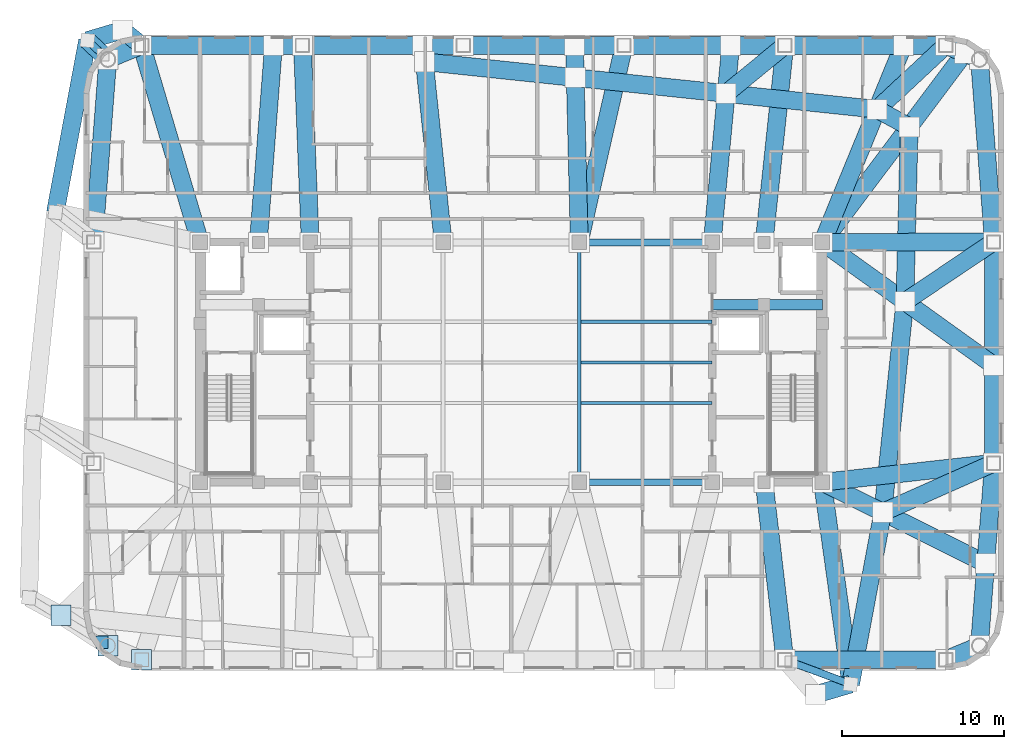
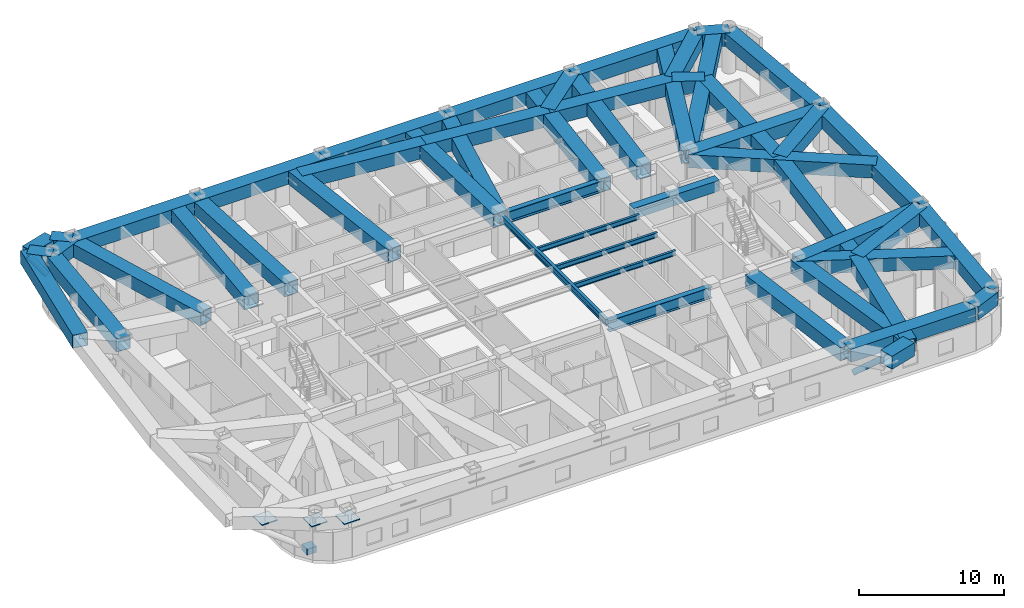
# One storey, part 2 of 12: 52 beams, 4 plates, 2 members.
"""IFC4 building model written with IfcOpenShell, lengths in metres."""

from ifc_helpers import new_model, si_unit, direction, frame, origin, origin_2d, place, context, subcontext, project, spatial, rectangle, hollow_rectangle, hollow_circle, i_section, extrude, material, layer, layer_set, material_profile, profile_set, type_object, element, save


model = new_model("IFC4")

# Units and contexts
model_context = context("Model", 3, precision=1e-05, world=origin(), true_north=direction((0.0, 1.0)))
body_context = subcontext(model_context, "Body", "Model", "MODEL_VIEW")
ifc_project = project(units=[si_unit("LENGTHUNIT", "METRE"), si_unit("AREAUNIT", "SQUARE_METRE"), si_unit("VOLUMEUNIT", "CUBIC_METRE"), si_unit("PLANEANGLEUNIT", "RADIAN"), si_unit("MASSUNIT", "GRAM", prefix="KILO")], contexts=[model_context])

# Site, building, storey
site_placement = place(None, origin())
site = spatial("IfcSite", under=ifc_project, at=site_placement, CompositionType="ELEMENT")
building_placement = place(site_placement, origin())
building = spatial("IfcBuilding", under=site, at=building_placement, Name="Voryun Gate Residences", CompositionType="ELEMENT")
storey_placement = place(building_placement, frame((0.0, 0.0, 250.89990234375)))
storey = spatial("IfcBuildingStorey", under=building, at=storey_placement, Name="L62", CompositionType="ELEMENT", Elevation=250.89990234375)

# Beams
ifc_material_1 = material(Name="Steel SM420", Category="steel")
ifc_material_profile_1 = material_profile(ifc_material_1, hollow_rectangle(XDim=1.10009765625, YDim=1.10009765625, WallThickness=0.035888671875, at=origin_2d()), Name="BOX-1100x1100x36")
ifc_profile_set_1 = profile_set([ifc_material_profile_1], Name="Steel SM420")
beam_type_1 = type_object("IfcBeamType", Name="BM_ARCH_RIB", PredefinedType="USERDEFINED", material=ifc_profile_set_1)
beam_1_placement = place(storey_placement, frame((16.8798828125, -18.35009765625, 2.9501953125), z_axis=(1.0, 0.0, 0.0), x_axis=(0.0, 1.0, 0.0)))
element("IfcBeam", 1, at=beam_1_placement, inside=storey, type_object=beam_type_1, Name="BM-L62-SPAND-05", ObjectType="GIRDER", PredefinedType="USERDEFINED", context=body_context, shape_type="SweptSolid", body=[
    extrude(hollow_rectangle(XDim=1.10009765625, YDim=1.10009765625, WallThickness=0.035888671875, at=origin_2d()), origin(), (0.0, 0.0, 1.0), 9.920166015625),
])
beam_2_placement = place(storey_placement, frame((26.800048828125, -18.35009765625, 2.9501953125), z_axis=(0.923881087602, 0.382679678022, 0.0), x_axis=(-0.382679678022, 0.923881087602, 0.0)))
element("IfcBeam", 2, at=beam_2_placement, inside=storey, type_object=beam_type_1, Name="BM-L62-SPAND-06", ObjectType="GIRDER", PredefinedType="USERDEFINED", context=body_context, shape_type="SweptSolid", body=[
    extrude(hollow_rectangle(XDim=1.10009765625, YDim=1.10009765625, WallThickness=0.035888671875, at=origin_2d()), origin(), (0.0, 0.0, 1.0), 2.2578125),
])
beam_3_placement = place(storey_placement, frame((28.885986328125, -17.486083984375, 2.9501953125), z_axis=(0.076480009441, 0.997071114894, 0.0), x_axis=(-0.997071114894, 0.076480009441, 0.0)))
element("IfcBeam", 3, at=beam_3_placement, inside=storey, type_object=beam_type_1, Name="BM-L62-SPAND-07", ObjectType="GIRDER", PredefinedType="USERDEFINED", context=body_context, shape_type="SweptSolid", body=[
    extrude(hollow_rectangle(XDim=1.10009765625, YDim=1.10009765625, WallThickness=0.035888671875, at=origin_2d()), origin(), (0.0, 0.0, 1.0), 11.29736328125),
])
beam_4_placement = place(storey_placement, frame((29.75, -6.221923828125, 2.9501953125), z_axis=(0.0, 1.0, 0.0), x_axis=(-1.0, 0.0, 0.0)))
element("IfcBeam", 4, at=beam_4_placement, inside=storey, type_object=beam_type_1, Name="BM-L62-SPAND-08", ObjectType="GIRDER", PredefinedType="USERDEFINED", context=body_context, shape_type="SweptSolid", body=[
    extrude(hollow_rectangle(XDim=1.10009765625, YDim=1.10009765625, WallThickness=0.035888671875, at=origin_2d()), origin(), (0.0, 0.0, 1.0), 13.64404296875),
])
beam_5_placement = place(storey_placement, frame((29.75, 7.422119140625, 2.9501953125), z_axis=(-0.076481657417, 0.997070988485, 0.0), x_axis=(-0.997070988485, -0.076481657417, 0.0)))
element("IfcBeam", 5, at=beam_5_placement, inside=storey, type_object=beam_type_1, Name="BM-L62-SPAND-09", ObjectType="GIRDER", PredefinedType="USERDEFINED", context=body_context, shape_type="SweptSolid", body=[
    extrude(hollow_rectangle(XDim=1.10009765625, YDim=1.10009765625, WallThickness=0.035888671875, at=origin_2d()), origin(), (0.0, 0.0, 1.0), 11.297119140625),
])
beam_6_placement = place(storey_placement, frame((28.885986328125, 18.68603515625, 2.9501953125), z_axis=(-0.923881087602, 0.382679678022, 0.0), x_axis=(-0.382679678022, -0.923881087602, 0.0)))
element("IfcBeam", 6, at=beam_6_placement, inside=storey, type_object=beam_type_1, Name="BM-L62-SPAND-10", ObjectType="GIRDER", PredefinedType="USERDEFINED", context=body_context, shape_type="SweptSolid", body=[
    extrude(hollow_rectangle(XDim=1.10009765625, YDim=1.10009765625, WallThickness=0.035888671875, at=origin_2d()), origin(), (0.0, 0.0, 1.0), 2.2578125),
])
beam_7_placement = place(storey_placement, frame((26.800048828125, 19.550048828125, 2.9501953125), z_axis=(-1.0, 0.0, 0.0), x_axis=(0.0, -1.0, 0.0)))
element("IfcBeam", 7, at=beam_7_placement, inside=storey, type_object=beam_type_1, Name="BM-L62-SPAND-11", ObjectType="GIRDER", PredefinedType="USERDEFINED", context=body_context, shape_type="SweptSolid", body=[
    extrude(hollow_rectangle(XDim=1.10009765625, YDim=1.10009765625, WallThickness=0.035888671875, at=origin_2d()), origin(), (0.0, 0.0, 1.0), 9.920166015625),
])
for number, where, z_axis, x_axis, name in (
    (8, (16.8798828125, 19.550048828125, 2.9501953125), (-1.0, 0.0, 0.0), (0.0, -1.0, 0.0), "BM-L62-SPAND-12"),
    (9, (6.9599609375, 19.550048828125, 2.9501953125), (-1.0, 0.0, 0.0), (0.0, -1.0, 0.0), "BM-L62-SPAND-13"),
    (10, (-2.9599609375, 19.550048828125, 2.9501953125), (-1.0, 0.0, 0.0), (0.0, -1.0, 0.0), "BM-L62-SPAND-14"),
):
    element("IfcBeam", number, at=place(storey_placement, frame(where, z_axis=z_axis, x_axis=x_axis)), inside=storey, type_object=beam_type_1, Name=name, ObjectType="GIRDER", PredefinedType="USERDEFINED", context=body_context, shape_type="SweptSolid", body=[
        extrude(hollow_rectangle(XDim=1.10009765625, YDim=1.10009765625, WallThickness=0.035888671875, at=origin_2d()), origin(), (0.0, 0.0, 1.0), 9.919921875),
    ])
beam_8_placement = place(storey_placement, frame((-12.8798828125, 19.550048828125, 2.9501953125), z_axis=(-1.0, 0.0, 0.0), x_axis=(0.0, -1.0, 0.0)))
element("IfcBeam", 11, at=beam_8_placement, inside=storey, type_object=beam_type_1, Name="BM-L62-SPAND-15", ObjectType="GIRDER", PredefinedType="USERDEFINED", context=body_context, shape_type="SweptSolid", body=[
    extrude(hollow_rectangle(XDim=1.10009765625, YDim=1.10009765625, WallThickness=0.035888671875, at=origin_2d()), origin(), (0.0, 0.0, 1.0), 9.920166015625),
])
beam_9_placement = place(storey_placement, frame((-22.800048828125, 19.550048828125, 2.9501953125), z_axis=(-0.923881087602, -0.382679678022, 0.0), x_axis=(0.382679678022, -0.923881087602, 0.0)))
element("IfcBeam", 12, at=beam_9_placement, inside=storey, type_object=beam_type_1, Name="BM-L62-SPAND-16", ObjectType="GIRDER", PredefinedType="USERDEFINED", context=body_context, shape_type="SweptSolid", body=[
    extrude(hollow_rectangle(XDim=1.10009765625, YDim=1.10009765625, WallThickness=0.035888671875, at=origin_2d()), origin(), (0.0, 0.0, 1.0), 2.2578125),
])
beam_10_placement = place(storey_placement, frame((-24.885986328125, 18.68603515625, 2.9501953125), z_axis=(-0.076481657417, -0.997070988485, 0.0), x_axis=(0.997070988485, -0.076481657417, 0.0)))
element("IfcBeam", 13, at=beam_10_placement, inside=storey, type_object=beam_type_1, Name="BM-L62-SPAND-17", ObjectType="GIRDER", PredefinedType="USERDEFINED", context=body_context, shape_type="SweptSolid", body=[
    extrude(hollow_rectangle(XDim=1.10009765625, YDim=1.10009765625, WallThickness=0.035888671875, at=origin_2d()), origin(), (0.0, 0.0, 1.0), 11.297119140625),
])
beam_11_placement = place(storey_placement, frame((19.199951171875, -7.39990234375, 2.9501953125), z_axis=(0.138316926402, -0.990388018844, 0.0), x_axis=(0.990388018844, 0.138316926402, 0.0)))
element("IfcBeam", 14, at=beam_11_placement, inside=storey, type_object=beam_type_1, Name="BM-L62-XFERCANT-CSE", ObjectType="GIRDER", PredefinedType="USERDEFINED", context=body_context, shape_type="SweptSolid", body=[
    extrude(hollow_rectangle(XDim=1.10009765625, YDim=1.10009765625, WallThickness=0.035888671875, at=origin_2d()), origin(), (0.0, 0.0, 1.0), 12.576171875),
])
beam_12_placement = place(storey_placement, frame((19.199951171875, -7.39990234375, 2.9501953125), z_axis=(0.895267333317, -0.445529350207, 0.0), x_axis=(0.445529350207, 0.895267333317, 0.0)))
element("IfcBeam", 15, at=beam_12_placement, inside=storey, type_object=beam_type_1, Name="BM-L62-XFERCANT-E1", ObjectType="GIRDER", PredefinedType="USERDEFINED", context=body_context, shape_type="SweptSolid", body=[
    extrude(hollow_rectangle(XDim=1.10009765625, YDim=1.10009765625, WallThickness=0.035888671875, at=origin_2d()), origin(), (0.0, 0.0, 1.0), 11.25390625),
])
beam_13_placement = place(storey_placement, frame((29.75, -6.221923828125, 2.9501953125), z_axis=(-0.914004179423, -0.405704769504, 0.0), x_axis=(0.405704769504, -0.914004179423, 0.0)))
element("IfcBeam", 16, at=beam_13_placement, inside=storey, type_object=beam_type_1, Name="BM-L62-XFERLOW-E1", ObjectType="GIRDER", PredefinedType="USERDEFINED", context=body_context, shape_type="SweptSolid", body=[
    extrude(hollow_rectangle(XDim=1.10009765625, YDim=1.10009765625, WallThickness=0.035888671875, at=origin_2d()), origin(), (0.0, 0.0, 1.0), 7.4697265625),
])
beam_14_placement = place(storey_placement, frame((19.199951171875, 7.39990234375, 2.9501953125), z_axis=(0.812125298547, -0.583483075556, 0.0), x_axis=(0.583483075556, 0.812125298547, 0.0)))
element("IfcBeam", 17, at=beam_14_placement, inside=storey, type_object=beam_type_1, Name="BM-L62-XFERCANT-E2", ObjectType="GIRDER", PredefinedType="USERDEFINED", context=body_context, shape_type="SweptSolid", body=[
    extrude(hollow_rectangle(XDim=1.10009765625, YDim=1.10009765625, WallThickness=0.035888671875, at=origin_2d()), origin(), (0.0, 0.0, 1.0), 12.99072265625),
])
beam_15_placement = place(storey_placement, frame((29.75, 7.422119140625, 2.9501953125), z_axis=(-0.829428512813, -0.558612873225, 0.0), x_axis=(0.558612873225, -0.829428512813, 0.0)))
element("IfcBeam", 18, at=beam_15_placement, inside=storey, type_object=beam_type_1, Name="BM-L62-XFERLOW-E2", ObjectType="GIRDER", PredefinedType="USERDEFINED", context=body_context, shape_type="SweptSolid", body=[
    extrude(hollow_rectangle(XDim=1.10009765625, YDim=1.10009765625, WallThickness=0.035888671875, at=origin_2d()), origin(), (0.0, 0.0, 1.0), 6.58447265625),
])
beam_16_placement = place(storey_placement, frame((19.199951171875, 7.39990234375, 2.9501953125), z_axis=(0.600548610641, 0.799588247948, 0.0), x_axis=(-0.799588247948, 0.600548610641, 0.0)))
element("IfcBeam", 19, at=beam_16_placement, inside=storey, type_object=beam_type_1, Name="BM-L62-XFERCANT-CNE", ObjectType="GIRDER", PredefinedType="USERDEFINED", context=body_context, shape_type="SweptSolid", body=[
    extrude(hollow_rectangle(XDim=1.10009765625, YDim=1.10009765625, WallThickness=0.035888671875, at=origin_2d()), origin(), (0.0, 0.0, 1.0), 14.5927734375),
])
beam_17_placement = place(storey_placement, frame((19.199951171875, 7.39990234375, 2.9501953125), z_axis=(0.37985495048, 0.925046061878, 0.0), x_axis=(-0.925046061878, 0.37985495048, 0.0)))
element("IfcBeam", 20, at=beam_17_placement, inside=storey, type_object=beam_type_1, Name="BM-L62-XFERCANT-N1", ObjectType="GIRDER", PredefinedType="USERDEFINED", context=body_context, shape_type="SweptSolid", body=[
    extrude(hollow_rectangle(XDim=1.10009765625, YDim=1.10009765625, WallThickness=0.035888671875, at=origin_2d()), origin(), (0.0, 0.0, 1.0), 13.134521484375),
])
beam_18_placement = place(storey_placement, frame((26.800048828125, 19.550048828125, 2.9501953125), z_axis=(-0.731342891616, -0.682009952187, 0.0), x_axis=(0.682009952187, -0.731342891616, 0.0)))
element("IfcBeam", 21, at=beam_18_placement, inside=storey, type_object=beam_type_1, Name="BM-L62-XFERLOW-N1", ObjectType="GIRDER", PredefinedType="USERDEFINED", context=body_context, shape_type="SweptSolid", body=[
    extrude(hollow_rectangle(XDim=1.10009765625, YDim=1.10009765625, WallThickness=0.035888671875, at=origin_2d()), origin(), (0.0, 0.0, 1.0), 5.78515625),
])
beam_19_placement = place(storey_placement, frame((12.39990234375, 7.39990234375, 2.9501953125), z_axis=(0.093268198624, 0.995641021215, 0.0), x_axis=(-0.995641021215, 0.093268198624, 0.0)))
element("IfcBeam", 22, at=beam_19_placement, inside=storey, type_object=beam_type_1, Name="BM-L62-XFERCANT-N2", ObjectType="GIRDER", PredefinedType="USERDEFINED", context=body_context, shape_type="SweptSolid", body=[
    extrude(hollow_rectangle(XDim=1.10009765625, YDim=1.10009765625, WallThickness=0.035888671875, at=origin_2d()), origin(), (0.0, 0.0, 1.0), 12.203369140625),
])
beam_20_placement = place(storey_placement, frame((16.8798828125, 19.550048828125, 2.9501953125), z_axis=(-0.773378269376, -0.633944833922, 0.0), x_axis=(0.633944833922, -0.773378269376, 0.0)))
element("IfcBeam", 23, at=beam_20_placement, inside=storey, type_object=beam_type_1, Name="BM-L62-XFERLOW-N2", ObjectType="GIRDER", PredefinedType="USERDEFINED", context=body_context, shape_type="SweptSolid", body=[
    extrude(hollow_rectangle(XDim=1.10009765625, YDim=1.10009765625, WallThickness=0.035888671875, at=origin_2d()), origin(), (0.0, 0.0, 1.0), 4.68017578125),
])
beam_21_placement = place(storey_placement, frame((4.199951171875, 7.39990234375, 2.9501953125), z_axis=(-0.024446647027, 0.999701136065, 0.0), x_axis=(-0.999701136065, -0.024446647027, 0.0)))
element("IfcBeam", 24, at=beam_21_placement, inside=storey, type_object=beam_type_1, Name="BM-L62-XFERCANT-N3", ObjectType="GIRDER", PredefinedType="USERDEFINED", context=body_context, shape_type="SweptSolid", body=[
    extrude(hollow_rectangle(XDim=1.10009765625, YDim=1.10009765625, WallThickness=0.035888671875, at=origin_2d()), origin(), (0.0, 0.0, 1.0), 12.15380859375),
])
beam_22_placement = place(storey_placement, frame((-4.199951171875, 7.39990234375, 2.9501953125), z_axis=(-0.103328042835, 0.994647332256, 0.0), x_axis=(-0.994647332256, -0.103328042835, 0.0)))
element("IfcBeam", 25, at=beam_22_placement, inside=storey, type_object=beam_type_1, Name="BM-L62-XFERCANT-N4", ObjectType="GIRDER", PredefinedType="USERDEFINED", context=body_context, shape_type="SweptSolid", body=[
    extrude(hollow_rectangle(XDim=1.10009765625, YDim=1.10009765625, WallThickness=0.035888671875, at=origin_2d()), origin(), (0.0, 0.0, 1.0), 12.215576171875),
])
beam_23_placement = place(storey_placement, frame((-15.60009765625, 7.39990234375, 2.9501953125), z_axis=(0.076871148618, 0.99704103552, 0.0), x_axis=(-0.99704103552, 0.076871148618, 0.0)))
element("IfcBeam", 26, at=beam_23_placement, inside=storey, type_object=beam_type_1, Name="BM-L62-XFERCANT-N5", ObjectType="GIRDER", PredefinedType="USERDEFINED", context=body_context, shape_type="SweptSolid", body=[
    extrude(hollow_rectangle(XDim=1.10009765625, YDim=1.10009765625, WallThickness=0.035888671875, at=origin_2d()), origin(), (0.0, 0.0, 1.0), 12.186279296875),
])
beam_24_placement = place(storey_placement, frame((-22.800048828125, 19.550048828125, 2.9501953125), z_axis=(-0.778637491303, 0.627474029054, 0.0), x_axis=(-0.627474029054, -0.778637491303, 0.0)))
element("IfcBeam", 27, at=beam_24_placement, inside=storey, type_object=beam_type_1, Name="BM-L62-XFERLOW-N6", ObjectType="GIRDER", PredefinedType="USERDEFINED", context=body_context, shape_type="SweptSolid", body=[
    extrude(hollow_rectangle(XDim=1.10009765625, YDim=1.10009765625, WallThickness=0.035888671875, at=origin_2d()), origin(), (0.0, 0.0, 1.0), 1.508544921875),
])
beam_25_placement = place(storey_placement, frame((-24.885986328125, 18.68603515625, 2.9501953125), z_axis=(-0.731249434274, 0.682110155968, 0.0), x_axis=(-0.682110155968, -0.731249434274, 0.0)))
element("IfcBeam", 28, at=beam_25_placement, inside=storey, type_object=beam_type_1, Name="BM-L62-XFERLOW-CNW", ObjectType="GIRDER", PredefinedType="USERDEFINED", context=body_context, shape_type="SweptSolid", body=[
    extrude(hollow_rectangle(XDim=1.10009765625, YDim=1.10009765625, WallThickness=0.035888671875, at=origin_2d()), origin(), (0.0, 0.0, 1.0), 1.714111328125),
])
beam_26_placement = place(storey_placement, frame((18.774658203125, -20.49658203125, 2.9501953125), z_axis=(0.958805748412, 0.28406255792, 0.0), x_axis=(-0.28406255792, 0.958805748412, 0.0)))
element("IfcBeam", 29, at=beam_26_placement, inside=storey, type_object=beam_type_1, Name="BM-L62-XFERRING-06", ObjectType="GIRDER", PredefinedType="USERDEFINED", context=body_context, shape_type="SweptSolid", body=[
    extrude(hollow_rectangle(XDim=1.10009765625, YDim=1.10009765625, WallThickness=0.035888671875, at=origin_2d()), origin(), (0.0, 0.0, 1.0), 2.2578125),
])
beam_27_placement = place(storey_placement, frame((20.939453125, -19.855224609375, 2.9501953125), z_axis=(0.183852585596, 0.982953827384, 0.0), x_axis=(-0.982953827384, 0.183852585596, 0.0)))
element("IfcBeam", 30, at=beam_27_placement, inside=storey, type_object=beam_type_1, Name="BM-L62-XFERRING-07", ObjectType="GIRDER", PredefinedType="USERDEFINED", context=body_context, shape_type="SweptSolid", body=[
    extrude(hollow_rectangle(XDim=1.10009765625, YDim=1.10009765625, WallThickness=0.035888671875, at=origin_2d()), origin(), (0.0, 0.0, 1.0), 10.78662109375),
])
beam_28_placement = place(storey_placement, frame((22.922607421875, -9.25244140625, 2.9501953125), z_axis=(0.104528209082, 0.994521922084, 0.0), x_axis=(-0.994521922084, 0.104528209082, 0.0)))
element("IfcBeam", 31, at=beam_28_placement, inside=storey, type_object=beam_type_1, Name="BM-L62-XFERRING-08", ObjectType="GIRDER", PredefinedType="USERDEFINED", context=body_context, shape_type="SweptSolid", body=[
    extrude(hollow_rectangle(XDim=1.10009765625, YDim=1.10009765625, WallThickness=0.035888671875, at=origin_2d()), origin(), (0.0, 0.0, 1.0), 13.06787109375),
])
beam_29_placement = place(storey_placement, frame((24.28857421875, 3.743896484375, 2.9501953125), z_axis=(0.024534711967, 0.999698978647, 0.0), x_axis=(-0.999698978647, 0.024534711967, 0.0)))
element("IfcBeam", 32, at=beam_29_placement, inside=storey, type_object=beam_type_1, Name="BM-L62-XFERRING-09", ObjectType="GIRDER", PredefinedType="USERDEFINED", context=body_context, shape_type="SweptSolid", body=[
    extrude(hollow_rectangle(XDim=1.10009765625, YDim=1.10009765625, WallThickness=0.035888671875, at=origin_2d()), origin(), (0.0, 0.0, 1.0), 10.78662109375),
])
beam_30_placement = place(storey_placement, frame((24.55322265625, 14.52734375, 2.9501953125), z_axis=(-0.878844363117, 0.477108567746, 0.0), x_axis=(-0.477108567746, -0.878844363117, 0.0)))
element("IfcBeam", 33, at=beam_30_placement, inside=storey, type_object=beam_type_1, Name="BM-L62-XFERRING-10", ObjectType="GIRDER", PredefinedType="USERDEFINED", context=body_context, shape_type="SweptSolid", body=[
    extrude(hollow_rectangle(XDim=1.10009765625, YDim=1.10009765625, WallThickness=0.035888671875, at=origin_2d()), origin(), (0.0, 0.0, 1.0), 2.257568359375),
])
beam_31_placement = place(storey_placement, frame((22.569091796875, 15.6044921875, 2.9501953125), z_axis=(-0.994520592114, 0.104540862157, 0.0), x_axis=(-0.104540862157, -0.994520592114, 0.0)))
element("IfcBeam", 34, at=beam_31_placement, inside=storey, type_object=beam_type_1, Name="BM-L62-XFERRING-11", ObjectType="GIRDER", PredefinedType="USERDEFINED", context=body_context, shape_type="SweptSolid", body=[
    extrude(hollow_rectangle(XDim=1.10009765625, YDim=1.10009765625, WallThickness=0.035888671875, at=origin_2d()), origin(), (0.0, 0.0, 1.0), 9.360107421875),
])
beam_32_placement = place(storey_placement, frame((13.26025390625, 16.5830078125, 2.9501953125), z_axis=(-0.994523018663, 0.104517775278, 0.0), x_axis=(-0.104517775278, -0.994523018663, 0.0)))
element("IfcBeam", 35, at=beam_32_placement, inside=storey, type_object=beam_type_1, Name="BM-L62-XFERRING-12", ObjectType="GIRDER", PredefinedType="USERDEFINED", context=body_context, shape_type="SweptSolid", body=[
    extrude(hollow_rectangle(XDim=1.10009765625, YDim=1.10009765625, WallThickness=0.035888671875, at=origin_2d()), origin(), (0.0, 0.0, 1.0), 9.35986328125),
])
beam_33_placement = place(storey_placement, frame((3.95166015625, 17.561279296875, 2.9501953125), z_axis=(-0.994520592114, 0.104540862157, 0.0), x_axis=(-0.104540862157, -0.994520592114, 0.0)))
element("IfcBeam", 36, at=beam_33_placement, inside=storey, type_object=beam_type_1, Name="BM-L62-XFERRING-13", ObjectType="GIRDER", PredefinedType="USERDEFINED", context=body_context, shape_type="SweptSolid", body=[
    extrude(hollow_rectangle(XDim=1.10009765625, YDim=1.10009765625, WallThickness=0.035888671875, at=origin_2d()), origin(), (0.0, 0.0, 1.0), 9.360107421875),
])
beam_34_placement = place(storey_placement, frame((-23.974609375, 20.49658203125, 2.9501953125), z_axis=(-0.958805748412, -0.28406255792, 0.0), x_axis=(0.28406255792, -0.958805748412, 0.0)))
element("IfcBeam", 37, at=beam_34_placement, inside=storey, type_object=beam_type_1, Name="BM-L62-XFERRING-16", ObjectType="GIRDER", PredefinedType="USERDEFINED", context=body_context, shape_type="SweptSolid", body=[
    extrude(hollow_rectangle(XDim=1.10009765625, YDim=1.10009765625, WallThickness=0.035888671875, at=origin_2d()), origin(), (0.0, 0.0, 1.0), 2.2578125),
])
beam_35_placement = place(storey_placement, frame((-26.139404296875, 19.855224609375, 2.9501953125), z_axis=(-0.183852585596, -0.982953827384, 0.0), x_axis=(0.982953827384, -0.183852585596, 0.0)))
element("IfcBeam", 38, at=beam_35_placement, inside=storey, type_object=beam_type_1, Name="BM-L62-XFERRING-17", ObjectType="GIRDER", PredefinedType="USERDEFINED", context=body_context, shape_type="SweptSolid", body=[
    extrude(hollow_rectangle(XDim=1.10009765625, YDim=1.10009765625, WallThickness=0.035888671875, at=origin_2d()), origin(), (0.0, 0.0, 1.0), 10.78662109375),
])
beam_36_placement = place(storey_placement, frame((15.60009765625, -7.39990234375, 2.9501953125), z_axis=(0.116083150214, -0.993239498931, 0.0), x_axis=(0.993239498931, 0.116083150214, 0.0)))
element("IfcBeam", 39, at=beam_36_placement, inside=storey, type_object=beam_type_1, Name="BM-L62-RAD-S5", ObjectType="GIRDER", PredefinedType="USERDEFINED", context=body_context, shape_type="SweptSolid", body=[
    extrude(hollow_rectangle(XDim=1.10009765625, YDim=1.10009765625, WallThickness=0.035888671875, at=origin_2d()), origin(), (0.0, 0.0, 1.0), 11.024658203125),
])
beam_37_placement = place(storey_placement, frame((19.199951171875, -7.39990234375, 2.9501953125), z_axis=(0.993824131675, 0.110966640486, 0.0), x_axis=(-0.110966640486, 0.993824131675, 0.0)))
element("IfcBeam", 40, at=beam_37_placement, inside=storey, type_object=beam_type_1, Name="BM-L62-RAD-E1", ObjectType="GIRDER", PredefinedType="USERDEFINED", context=body_context, shape_type="SweptSolid", body=[
    extrude(hollow_rectangle(XDim=1.10009765625, YDim=1.10009765625, WallThickness=0.035888671875, at=origin_2d()), origin(), (0.0, 0.0, 1.0), 10.61572265625),
])
beam_38_placement = place(storey_placement, frame((19.199951171875, 7.39990234375, 2.9501953125), z_axis=(0.99999778271, 0.002105843108, 0.0), x_axis=(-0.002105843108, 0.99999778271, 0.0)))
element("IfcBeam", 41, at=beam_38_placement, inside=storey, type_object=beam_type_1, Name="BM-L62-RAD-E2", ObjectType="GIRDER", PredefinedType="USERDEFINED", context=body_context, shape_type="SweptSolid", body=[
    extrude(hollow_rectangle(XDim=1.10009765625, YDim=1.10009765625, WallThickness=0.035888671875, at=origin_2d()), origin(), (0.0, 0.0, 1.0), 10.550048828125),
])
beam_39_placement = place(storey_placement, frame((15.60009765625, 7.39990234375, 2.9501953125), z_axis=(0.104751358085, 0.994498442925, 0.0), x_axis=(-0.994498442925, 0.104751358085, 0.0)))
element("IfcBeam", 42, at=beam_39_placement, inside=storey, type_object=beam_type_1, Name="BM-L62-RAD-N2", ObjectType="GIRDER", PredefinedType="USERDEFINED", context=body_context, shape_type="SweptSolid", body=[
    extrude(hollow_rectangle(XDim=1.10009765625, YDim=1.10009765625, WallThickness=0.035888671875, at=origin_2d()), origin(), (0.0, 0.0, 1.0), 12.21728515625),
])
beam_40_placement = place(storey_placement, frame((4.199951171875, 7.39990234375, 2.9501953125), z_axis=(0.221515238368, 0.975156910026, 0.0), x_axis=(-0.975156910026, 0.221515238368, 0.0)))
element("IfcBeam", 43, at=beam_40_placement, inside=storey, type_object=beam_type_1, Name="BM-L62-RAD-N3", ObjectType="GIRDER", PredefinedType="USERDEFINED", context=body_context, shape_type="SweptSolid", body=[
    extrude(hollow_rectangle(XDim=1.10009765625, YDim=1.10009765625, WallThickness=0.035888671875, at=origin_2d()), origin(), (0.0, 0.0, 1.0), 12.459716796875),
])
beam_41_placement = place(storey_placement, frame((-12.39990234375, 7.39990234375, 2.9501953125), z_axis=(-0.039473300578, 0.999220625558, 0.0), x_axis=(-0.999220625558, -0.039473300578, 0.0)))
element("IfcBeam", 44, at=beam_41_placement, inside=storey, type_object=beam_type_1, Name="BM-L62-RAD-N5", ObjectType="GIRDER", PredefinedType="USERDEFINED", context=body_context, shape_type="SweptSolid", body=[
    extrude(hollow_rectangle(XDim=1.10009765625, YDim=1.10009765625, WallThickness=0.035888671875, at=origin_2d()), origin(), (0.0, 0.0, 1.0), 12.15966796875),
])
beam_42_placement = place(storey_placement, frame((-19.199951171875, 7.39990234375, 2.9501953125), z_axis=(-0.284092265434, 0.958796946553, 0.0), x_axis=(-0.958796946553, -0.284092265434, 0.0)))
element("IfcBeam", 45, at=beam_42_placement, inside=storey, type_object=beam_type_1, Name="BM-L62-RAD-N6", ObjectType="GIRDER", PredefinedType="USERDEFINED", context=body_context, shape_type="SweptSolid", body=[
    extrude(hollow_rectangle(XDim=1.10009765625, YDim=1.10009765625, WallThickness=0.035888671875, at=origin_2d()), origin(), (0.0, 0.0, 1.0), 12.67236328125),
])
ifc_material_2 = material(Name="Concrete C60/75", Category="concrete")
ifc_material_profile_2 = material_profile(ifc_material_2, rectangle(XDim=0.64990234375, YDim=0.89990234375, at=origin_2d()), Name="RC-650x900")
ifc_profile_set_2 = profile_set([ifc_material_profile_2], Name="Concrete C60/75")
beam_type_2 = type_object("IfcBeamType", Name="BM_COUP_RC900", PredefinedType="LINTEL", material=ifc_profile_set_2)
beam_43_placement = place(storey_placement, frame((12.39990234375, 3.550048828125, 3.050048828125), z_axis=(1.0, 0.0, 0.0), x_axis=(0.0, 1.0, 0.0)))
element("IfcBeam", 46, at=beam_43_placement, inside=storey, type_object=beam_type_2, Name="BM-L62-EC1", PredefinedType="LINTEL", context=body_context, shape_type="SweptSolid", body=[
    extrude(rectangle(XDim=0.64990234375, YDim=0.89990234375, at=origin_2d()), origin(), (0.0, 0.0, 1.0), 6.800048828125),
])
ifc_material_3 = material(Name="Steel SM355", Category="steel")
ifc_material_profile_3 = material_profile(ifc_material_3, i_section(OverallWidth=0.239990234375, OverallDepth=0.550048828125, WebThickness=0.011962890625, FlangeThickness=0.02001953125, FilletRadius=0.01806640625, at=origin_2d()), Name="H-550x240x12x20")
ifc_profile_set_3 = profile_set([ifc_material_profile_3], Name="Steel SM355")
beam_type_3 = type_object("IfcBeamType", Name="BM_GIRD_550", PredefinedType="USERDEFINED", material=ifc_profile_set_3)
beam_44_placement = place(storey_placement, frame((4.199951171875, -7.39990234375, 3.22509765625), z_axis=(0.0, 1.0, 0.0), x_axis=(-1.0, 0.0, 0.0)))
element("IfcBeam", 47, at=beam_44_placement, inside=storey, type_object=beam_type_3, Name="BM-L62-SPX-E", ObjectType="GIRDER", PredefinedType="USERDEFINED", context=body_context, shape_type="SweptSolid", body=[
    extrude(i_section(OverallWidth=0.239990234375, OverallDepth=0.550048828125, WebThickness=0.011962890625, FlangeThickness=0.02001953125, FilletRadius=0.01806640625, at=origin_2d()), origin(), (0.0, 0.0, 1.0), 14.7998046875),
])
ifc_material_4 = material(Name="Steel SM355", Category="steel")
ifc_material_profile_4 = material_profile(ifc_material_4, i_section(OverallWidth=0.18994140625, OverallDepth=0.419921875, WebThickness=0.009033203125, FlangeThickness=0.01611328125, FilletRadius=0.01806640625, at=origin_2d()), Name="H-420x190x9x16")
ifc_profile_set_4 = profile_set([ifc_material_profile_4], Name="Steel SM355")
beam_type_4 = type_object("IfcBeamType", Name="BM_SEC_420", PredefinedType="BEAM", material=ifc_profile_set_4)
for number, where, z_axis, x_axis, name in (
    (48, (4.300048828125, -2.5, 3.2900390625), (1.0, 0.0, 0.0), (0.0, 1.0, 0.0), "BM-L62-SEC-CS3"),
    (49, (4.300048828125, 0.0, 3.2900390625), (1.0, 0.0, 0.0), (0.0, 1.0, 0.0), "BM-L62-SEC-CM3"),
    (50, (4.300048828125, 2.5, 3.2900390625), (1.0, 0.0, 0.0), (0.0, 1.0, 0.0), "BM-L62-SEC-CN3"),
):
    element("IfcBeam", number, at=place(storey_placement, frame(where, z_axis=z_axis, x_axis=x_axis)), inside=storey, type_object=beam_type_4, Name=name, PredefinedType="BEAM", context=body_context, shape_type="SweptSolid", body=[
        extrude(i_section(OverallWidth=0.18994140625, OverallDepth=0.419921875, WebThickness=0.009033203125, FlangeThickness=0.01611328125, FilletRadius=0.01806640625, at=origin_2d()), origin(), (0.0, 0.0, 1.0), 8.099853515625),
    ])
ifc_material_5 = material(Name="Steel SM420", Category="steel")
ifc_material_profile_5 = material_profile(ifc_material_5, i_section(OverallWidth=0.419921875, OverallDepth=0.949951171875, WebThickness=0.02001953125, FlangeThickness=0.035888671875, FilletRadius=0.01806640625, at=origin_2d()), Name="H-950x420x20x36")
ifc_profile_set_5 = profile_set([ifc_material_profile_5], Name="Steel SM420")
beam_type_5 = type_object("IfcBeamType", Name="BM_XFER_950", PredefinedType="USERDEFINED", material=ifc_profile_set_5)
for number, where, z_axis, x_axis, name in (
    (51, (4.199951171875, -7.39990234375, 3.025146484375), (1.0, 0.0, 0.0), (0.0, 1.0, 0.0), "BM-L62-SPG3-S"),
    (52, (4.199951171875, 7.39990234375, 3.025146484375), (1.0, 0.0, 0.0), (0.0, 1.0, 0.0), "BM-L62-SPG3-N"),
):
    element("IfcBeam", number, at=place(storey_placement, frame(where, z_axis=z_axis, x_axis=x_axis)), inside=storey, type_object=beam_type_5, Name=name, ObjectType="GIRDER", PredefinedType="USERDEFINED", context=body_context, shape_type="SweptSolid", body=[
        extrude(i_section(OverallWidth=0.419921875, OverallDepth=0.949951171875, WebThickness=0.02001953125, FlangeThickness=0.035888671875, FilletRadius=0.01806640625, at=origin_2d()), origin(), (0.0, 0.0, 1.0), 8.199951171875),
    ])

# Members
ifc_material_6 = material(Name="Steel SM420", Category="steel")
ifc_material_profile_6 = material_profile(ifc_material_6, hollow_circle(Radius=0.22998046875, WallThickness=0.02197265625, at=origin_2d()), Name="CHS-460x22")
ifc_profile_set_6 = profile_set([ifc_material_profile_6], Name="Steel SM420")
member_type = type_object("IfcMemberType", Name="MBR_CANT_STRUT_UP", PredefinedType="STRUT", material=ifc_profile_set_6)
member_1_placement = place(storey_placement, frame((17.273681640625, -18.49609375, 1.19091796875), z_axis=(0.855048164179, -0.317019855477, 0.410354783288), x_axis=(0.347637714328, 0.937628934908, 0.0)))
element("IfcMember", 53, at=member_1_placement, inside=storey, type_object=member_type, Name="L62 Block B5 Cantilever Strut CSE", PredefinedType="STRUT", context=body_context, shape_type="SweptSolid", body=[
    extrude(hollow_circle(Radius=0.22998046875, WallThickness=0.02197265625, at=origin_2d()), origin(), (0.0, 0.0, 1.0), 4.287109375),
])
member_2_placement = place(storey_placement, frame((-25.193115234375, 18.972412109375, 1.60009765625), z_axis=(-0.505987406152, 0.472046042478, 0.7219066966), x_axis=(-0.682156918184, -0.731205811638, 0.0)))
element("IfcMember", 54, at=member_2_placement, inside=storey, type_object=member_type, Name="L62 Block B5 Cantilever Strut CNW", PredefinedType="STRUT", context=body_context, shape_type="SweptSolid", body=[
    extrude(hollow_circle(Radius=0.22998046875, WallThickness=0.02197265625, at=origin_2d()), origin(), (0.0, 0.0, 1.0), 1.8701171875),
])

# Plates
ifc_material_7 = material(Name="Steel SM355", Category="steel")
ifc_layer_1 = layer(ifc_material_7, 0.02490234375, Name="PLT_END_CAP_25")
ifc_layer_set_1 = layer_set([ifc_layer_1], Name="Steel SM355")
plate_type_1 = type_object("IfcPlateType", Name="PLT_END_CAP_25", PredefinedType="USERDEFINED", material=ifc_layer_set_1)
for number, where, z_axis, x_axis, name in (
    (55, (-22.800048828125, -18.35009765625, 2.91015625), (0.0, 0.0, 1.0), (1.0, 0.0, 0.0), "L62 Hollow Member End-Cap Plate EC-679"),
    (56, (-24.885986328125, -17.486083984375, 2.91015625), (0.0, 0.0, 1.0), (1.0, 0.0, 0.0), "L62 Hollow Member End-Cap Plate EC-698"),
    (57, (-27.76904296875, -15.6044921875, 2.91015625), (0.0, 0.0, 1.0), (1.0, 0.0, 0.0), "L62 Hollow Member End-Cap Plate EC-700"),
):
    element("IfcPlate", number, at=place(storey_placement, frame(where, z_axis=z_axis, x_axis=x_axis)), inside=storey, type_object=plate_type_1, Name=name, ObjectType="BASE_PLATE", PredefinedType="USERDEFINED", context=body_context, shape_type="SweptSolid", body=[
        extrude(rectangle(XDim=1.239990234375, YDim=1.239990234375, at=origin_2d()), origin(), (0.0, 0.0, 1.0), 0.080078125),
    ])
ifc_material_8 = material(Name="Steel SM420", Category="steel")
ifc_layer_2 = layer(ifc_material_8, 0.031982421875, Name="PLT_SPLICE_PLATE_32")
ifc_layer_set_2 = layer_set([ifc_layer_2], Name="Steel SM420")
plate_type_2 = type_object("IfcPlateType", Name="PLT_SPLICE_PLATE_32", PredefinedType="USERDEFINED", material=ifc_layer_set_2)
plate_placement = place(storey_placement, frame((-25.244873046875, -17.267822265625, 0.325927734375), z_axis=(0.0, 0.0, 1.0), x_axis=(1.0, 0.0, 0.0)))
element("IfcPlate", 58, at=plate_placement, inside=storey, type_object=plate_type_2, Name="L62 Cantilever Strut Base Gusset BS-CSW", ObjectType="SPLICE_PLATE", PredefinedType="USERDEFINED", context=body_context, shape_type="SweptSolid", body=[
    extrude(rectangle(XDim=0.75, YDim=0.75, at=origin_2d()), origin(), (0.0, 0.0, 1.0), 0.5),
])

save(model, "model.ifc")
